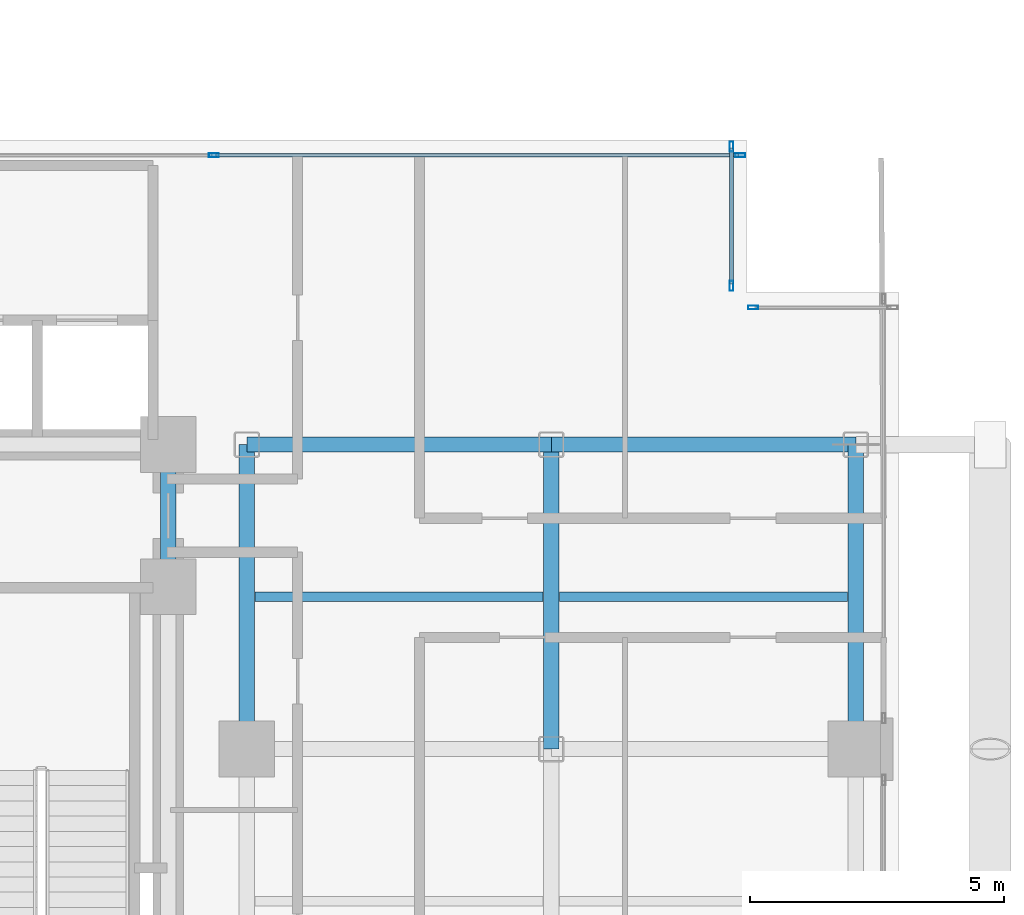
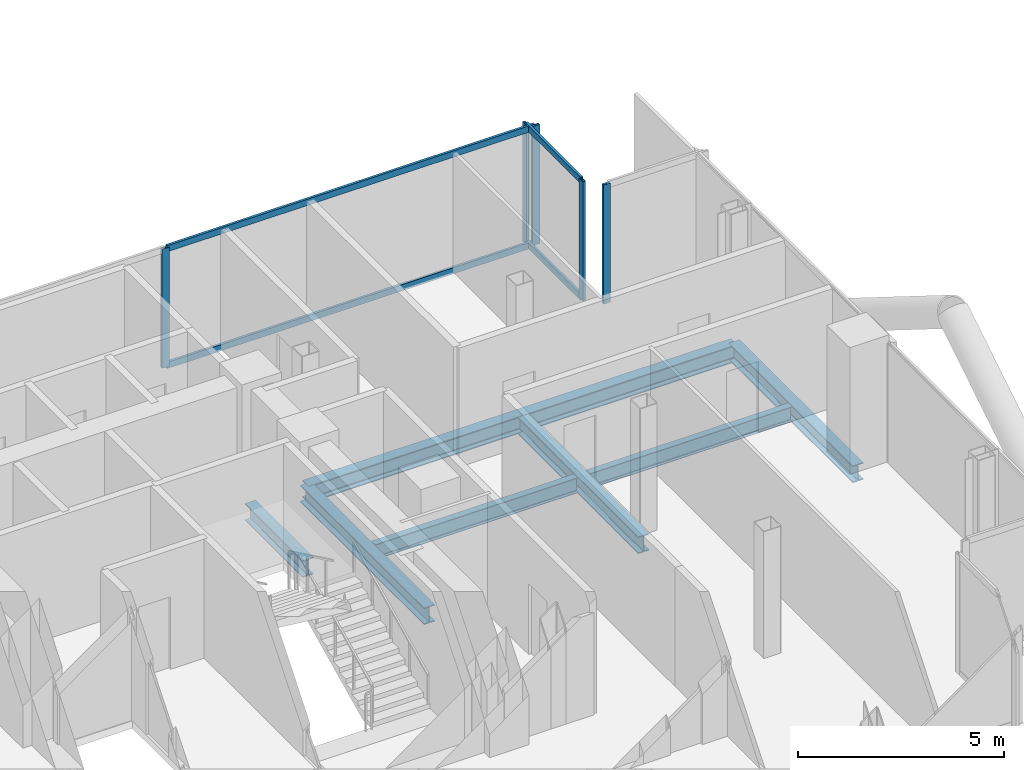
# One storey, part 12 of 24: 9 members, 8 beams, 3 elements without a shape of their own.
"""IFC4 building model written with IfcOpenShell, lengths in metres."""

import ifcopenshell
import ifcopenshell.guid

model = None  # the IFC model being written
_history = None  # IfcOwnerHistory: only IFC2X3 demands one
_inside = {}  # id of a spatial element -> (the spatial element, [elements in it])
_under = {}  # id of a project, library or spatial element -> (it, [spatial elements below it])
_declared = {}  # id of a project -> (the project, [libraries it declares])
_typed = {}  # id of a type object -> (the type object, [elements of that type])
_made_of = {}  # id of a material, layer set ... -> (it, [elements and type objects made of it])


def new_model(schema):
    """Start an empty IFC model of exactly this schema.

    Asked for "IFC4X3", IfcOpenShell would pick the latest addendum, in which some entities
    have other attributes; the version numbers below select the first issue.
    IFC2X3 requires an IfcOwnerHistory on every rooted entity: one is made here for all.
    """
    global model, _history
    if schema == "IFC4X3":
        model = ifcopenshell.file(schema_version=(4, 3, 0, 0))
    else:
        model = ifcopenshell.file(schema=schema)
    _inside.clear()
    _under.clear()
    _declared.clear()
    _typed.clear()
    _made_of.clear()
    _history = None
    if model.schema == "IFC2X3":
        org = make("IfcOrganization", Name="unknown")
        user = make(
            "IfcPersonAndOrganization",
            ThePerson=make("IfcPerson", FamilyName="unknown"),
            TheOrganization=org,
        )
        app = make(
            "IfcApplication",
            ApplicationDeveloper=org,
            Version="unknown",
            ApplicationFullName="unknown",
            ApplicationIdentifier="unknown",
        )
        _history = make(
            "IfcOwnerHistory",
            OwningUser=user,
            OwningApplication=app,
            ChangeAction="ADDED",
            CreationDate=0,
        )
    return model


def make(cls, **values):
    """One entity of the class cls with the attributes given. An attribute that is None is left unset."""
    return model.create_entity(
        cls, **{name: value for name, value in values.items() if value is not None}
    )


def rooted(cls, **values):
    """An entity with a GlobalId (a new one), such as an element, a storey or a relation."""
    return make(cls, GlobalId=ifcopenshell.guid.new(), OwnerHistory=_history, **values)


def si_unit(unit_type, name, prefix=None):
    """IfcSIUnit, for example si_unit("LENGTHUNIT", "METRE", prefix="MILLI")."""
    return make("IfcSIUnit", UnitType=unit_type, Prefix=prefix, Name=name)


def assignment(units):
    """IfcUnitAssignment: the units of a project."""
    return None if units is None else make("IfcUnitAssignment", Units=units)


def point(xyz):
    """IfcCartesianPoint."""
    return None if xyz is None else make("IfcCartesianPoint", Coordinates=xyz)


def direction(xyz):
    """IfcDirection."""
    return None if xyz is None else make("IfcDirection", DirectionRatios=xyz)


def frame(location, z_axis=None, x_axis=None):
    """IfcAxis2Placement3D, a coordinate frame: its origin and axes. An axis left out is left unset."""
    return make(
        "IfcAxis2Placement3D",
        Location=point(location),
        Axis=direction(z_axis),
        RefDirection=direction(x_axis),
    )


def frame_2d(location, x_axis=None):
    """IfcAxis2Placement2D, a coordinate frame in the plane: its origin and x axis."""
    return make(
        "IfcAxis2Placement2D", Location=point(location), RefDirection=direction(x_axis)
    )


def origin():
    """The frame at (0, 0, 0) with its axes left unset."""
    return frame((0.0, 0.0, 0.0))


def origin_2d():
    """The frame at (0, 0) in the plane with its x axis left unset."""
    return frame_2d((0.0, 0.0))


def place(relative_to, where):
    """IfcLocalPlacement: puts the frame where relative to a parent placement (None: the world)."""
    return make(
        "IfcLocalPlacement", PlacementRelTo=relative_to, RelativePlacement=where
    )


def context(
    kind, dimensions, precision=None, world=None, true_north=None, identifier=None
):
    """IfcGeometricRepresentationContext, for example the 3D "Model" context."""
    return make(
        "IfcGeometricRepresentationContext",
        ContextIdentifier=identifier,
        ContextType=kind,
        CoordinateSpaceDimension=dimensions,
        Precision=precision,
        WorldCoordinateSystem=world,
        TrueNorth=true_north,
    )


def subcontext(parent, identifier, kind, view, scale=None):
    """IfcGeometricRepresentationSubContext, for example "Body" below "Model"."""
    return make(
        "IfcGeometricRepresentationSubContext",
        ContextIdentifier=identifier,
        ContextType=kind,
        ParentContext=parent,
        TargetScale=scale,
        TargetView=view,
    )


def project(units=None, contexts=None):
    """IfcProject with its units and contexts."""
    return rooted(
        "IfcProject",
        Name="project",
        RepresentationContexts=contexts,
        UnitsInContext=assignment(units),
    )


def spatial(cls, under=None, at=None, **own):
    """A site, building, storey or space (cls), placed at a placement, below another one or the project."""
    s = rooted(cls, ObjectPlacement=at, **own)
    if under is not None:
        _under.setdefault(under.id(), (under, []))[1].append(s)
    return s


def profile(cls, at=None, kind="AREA", **sizes):
    """A parametric profile (cls). Its sizes go by their IFC names, for example OverallWidth=200.0."""
    return make(cls, ProfileType=kind, Position=at, **sizes)


def hollow_rectangle(**sizes):
    """IfcRectangleHollowProfileDef."""
    return profile("IfcRectangleHollowProfileDef", **sizes)


def i_section(**sizes):
    """IfcIShapeProfileDef."""
    return profile("IfcIShapeProfileDef", **sizes)


def extrude(swept, where, along, depth):
    """IfcExtrudedAreaSolid: the profile swept, set in the frame where, extruded along a direction by depth."""
    return make(
        "IfcExtrudedAreaSolid",
        SweptArea=swept,
        Position=where,
        ExtrudedDirection=direction(along),
        Depth=depth,
    )


def shape(context_of_items, identifier, shape_type, items):
    """IfcShapeRepresentation: the items that make up one representation, for example the "Body"."""
    return make(
        "IfcShapeRepresentation",
        ContextOfItems=context_of_items,
        RepresentationIdentifier=identifier,
        RepresentationType=shape_type,
        Items=items,
    )


def material(Name=None, Category=None):
    """IfcMaterial."""
    return make("IfcMaterial", Name=Name, Category=Category)


def layer(
    of_material, thickness, ventilated=None, Name=None, Category=None, Priority=None
):
    """IfcMaterialLayer: one layer of a wall or slab, of a material (None: an air gap)."""
    return make(
        "IfcMaterialLayer",
        Material=of_material,
        LayerThickness=thickness,
        IsVentilated=ventilated,
        Name=Name,
        Category=Category,
        Priority=Priority,
    )


def layer_set(layers, Name=None):
    """IfcMaterialLayerSet."""
    return make("IfcMaterialLayerSet", MaterialLayers=layers, LayerSetName=Name)


def material_profile(
    of_material, cross_section, Name=None, Category=None, Priority=None
):
    """IfcMaterialProfile: a cross section and its material."""
    return make(
        "IfcMaterialProfile",
        Name=Name,
        Material=of_material,
        Profile=cross_section,
        Priority=Priority,
        Category=Category,
    )


def profile_set(profiles, Name=None, composite=None):
    """IfcMaterialProfileSet."""
    return make(
        "IfcMaterialProfileSet",
        Name=Name,
        MaterialProfiles=profiles,
        CompositeProfile=composite,
    )


def made_of(thing, what):
    """Note that an element or type object is made of a material, layer set ...; save() writes the relation."""
    if what is not None:
        _made_of.setdefault(what.id(), (what, []))[1].append(thing)
    return thing


def type_object(cls, material=None, **own):
    """A type object (cls), such as IfcWallType, which elements share."""
    return made_of(rooted(cls, **own), material)


def element(
    cls,
    number,
    at=None,
    inside=None,
    cuts=None,
    type_object=None,
    material=None,
    context=None,
    identifier="Body",
    shape_type=None,
    held_by="IfcProductDefinitionShape",
    body=None,
    shapes=None,
    **own,
):
    """One element of the class cls, such as IfcWall. Its Tag is "e" and its number.

    at: its placement. inside: the storey or other place that contains it. cuts: it is an
    opening in that element (IfcRelVoidsElement). A single representation is given by context,
    identifier, shape_type and body (its items); several are given by shapes. held_by: the class
    of the entity that holds the representations. save() writes the other relations.
    """
    e = rooted(cls, Tag="e%d" % number, ObjectPlacement=at, **own)
    if body is not None:
        shapes = [shape(context, identifier, shape_type, body)]
    if shapes is not None:
        e.Representation = make(held_by, Representations=shapes)
    if inside is not None:
        _inside.setdefault(inside.id(), (inside, []))[1].append(e)
    if cuts is not None:
        rooted(
            "IfcRelVoidsElement", RelatingBuildingElement=cuts, RelatedOpeningElement=e
        )
    if type_object is not None:
        _typed.setdefault(type_object.id(), (type_object, []))[1].append(e)
    return made_of(e, material)


def aggregate(whole, parts):
    """IfcRelAggregates: a whole, such as a stair, and the parts it consists of."""
    return rooted("IfcRelAggregates", RelatingObject=whole, RelatedObjects=parts)


def save(model, path):
    """Write the relations noted so far, then the file.

    IfcRelAggregates (storeys below a building ...), IfcRelContainedInSpatialStructure (elements
    in a storey), IfcRelDefinesByType, IfcRelAssociatesMaterial and IfcRelDeclares: one each for
    every whole, place, type object, material and project.
    """
    for whole, parts in _under.values():
        aggregate(whole, parts)
    for where, things in _inside.values():
        rooted(
            "IfcRelContainedInSpatialStructure",
            RelatedElements=things,
            RelatingStructure=where,
        )
    for kind, things in _typed.values():
        rooted("IfcRelDefinesByType", RelatedObjects=things, RelatingType=kind)
    for what, things in _made_of.values():
        rooted("IfcRelAssociatesMaterial", RelatedObjects=things, RelatingMaterial=what)
    for by, libraries in _declared.values():
        rooted("IfcRelDeclares", RelatingContext=by, RelatedDefinitions=libraries)
    model.write(path)


model = new_model("IFC4")

# Units and contexts
model_context = context("Model", 3, precision=1e-05, world=origin(), true_north=direction((0.0, 1.0)))
body_context = subcontext(model_context, "Body", "Model", "MODEL_VIEW")
ifc_project = project(units=[si_unit("LENGTHUNIT", "METRE"), si_unit("AREAUNIT", "SQUARE_METRE"), si_unit("VOLUMEUNIT", "CUBIC_METRE"), si_unit("PLANEANGLEUNIT", "RADIAN"), si_unit("MASSUNIT", "GRAM", prefix="KILO"), si_unit("THERMODYNAMICTEMPERATUREUNIT", "KELVIN"), si_unit("POWERUNIT", "WATT")], contexts=[model_context])

# Site, building, storey
site_placement = place(None, origin())
site = spatial("IfcSite", under=ifc_project, at=site_placement, CompositionType="ELEMENT")
building_placement = place(site_placement, origin())
building = spatial("IfcBuilding", under=site, at=building_placement, Name="Svarakhadi Broadcast Tower", CompositionType="ELEMENT")
storey_placement = place(building_placement, frame((0.0, 0.0, 141.89990234375)))
storey = spatial("IfcBuildingStorey", under=building, at=storey_placement, Name="L34", CompositionType="ELEMENT", Elevation=141.89990234375)

# Beams
ifc_material_1 = material(Name="Steel S355J2 (IS 2062 E350C)", Category="steel")
ifc_material_profile_1 = material_profile(ifc_material_1, i_section(OverallWidth=0.18994140625, OverallDepth=0.449951171875, WebThickness=0.009521484375, FlangeThickness=0.0146484375, FilletRadius=0.02099609375, at=origin_2d()), Name="NPB 450x190x78")
ifc_profile_set_1 = profile_set([ifc_material_profile_1], Name="Steel S355J2 (IS 2062 E350C)")
beam_type_1 = type_object("IfcBeamType", Name="Beam_NPB450", PredefinedType="BEAM", material=ifc_profile_set_1)
for number, where, z_axis, x_axis, name in (
    (1, (35.31005859375, 15.0, -0.449951171875), (1.0, 0.0, 0.0), (0.0, 1.0, 0.0), "L34 Secondary Composite Beam SB021"),
    (2, (41.31005859375, 15.0, -0.449951171875), (1.0, 0.0, 0.0), (0.0, 1.0, 0.0), "L34 Secondary Composite Beam SB023"),
):
    element("IfcBeam", number, at=place(storey_placement, frame(where, z_axis=z_axis, x_axis=x_axis)), inside=storey, type_object=beam_type_1, Name=name, PredefinedType="BEAM", context=body_context, shape_type="SweptSolid", body=[
        extrude(i_section(OverallWidth=0.18994140625, OverallDepth=0.449951171875, WebThickness=0.009521484375, FlangeThickness=0.0146484375, FilletRadius=0.02099609375, at=origin_2d()), origin(), (0.0, 0.0, 1.0), 5.679931640625),
    ])

# Curtain wall, members
ifc_material_2 = material(Name="Anodised Bronze Aluminium AA 6063-T6", Category="aluminium")
ifc_layer = layer(ifc_material_2, 0.199951171875)
ifc_layer_set = layer_set([ifc_layer], Name="Anodised Bronze Aluminium AA 6063-T6")
curtain_wall_type = type_object("IfcCurtainWallType", Name="CW_Sys_03", PredefinedType="NOTDEFINED", material=ifc_layer_set)
curtain_wall_1_placement = place(storey_placement, origin())
curtain_wall_1 = element("IfcCurtainWall", 3, at=curtain_wall_1_placement, inside=storey, type_object=curtain_wall_type, Name="L34 Unitised Facade Curtain Wall 10", PredefinedType="NOTDEFINED")
ifc_material_profile_2 = material_profile(ifc_material_2, hollow_rectangle(XDim=0.074951171875, YDim=0.199951171875, WallThickness=0.005615234375, at=origin_2d()), Name="ALU MULLION 200x75x6")
ifc_profile_set_2 = profile_set([ifc_material_profile_2], Name="Anodised Bronze Aluminium AA 6063-T6")
member_type_1 = type_object("IfcMemberType", Name="CW_Sys_03_Mul", PredefinedType="MULLION", material=ifc_profile_set_2)
member_1_placement = place(storey_placement, frame((34.5, 23.699951171875, 0.0), z_axis=(0.0, 0.0, 1.0), x_axis=(0.0, 1.0, 0.0)))
member_1 = element("IfcMember", 4, at=member_1_placement, type_object=member_type_1, Name="CW-03 mullion 2", PredefinedType="MULLION", context=body_context, shape_type="SweptSolid", body=[
    extrude(hollow_rectangle(XDim=0.074951171875, YDim=0.199951171875, WallThickness=0.005615234375, at=origin_2d()), origin(), (0.0, 0.0, 1.0), 3.525146484375),
])
member_2_placement = place(storey_placement, frame((44.87255859375, 23.699951171875, 0.0), z_axis=(0.0, 0.0, 1.0), x_axis=(0.0, 1.0, 0.0)))
member_2 = element("IfcMember", 5, at=member_2_placement, type_object=member_type_1, Name="CW-03 mullion 3", PredefinedType="MULLION", context=body_context, shape_type="SweptSolid", body=[
    extrude(hollow_rectangle(XDim=0.074951171875, YDim=0.199951171875, WallThickness=0.005615234375, at=origin_2d()), origin(), (0.0, 0.0, 1.0), 3.525146484375),
])

curtain_wall_2_placement = place(storey_placement, origin())
curtain_wall_2 = element("IfcCurtainWall", 6, at=curtain_wall_2_placement, inside=storey, type_object=curtain_wall_type, Name="L34 Unitised Facade Curtain Wall 11", PredefinedType="NOTDEFINED")
member_3_placement = place(storey_placement, frame((44.699951171875, 23.87255859375, 0.0), z_axis=(0.0, 0.0, 1.0), x_axis=(1.0, 0.0, 0.0)))
member_3 = element("IfcMember", 7, at=member_3_placement, type_object=member_type_1, Name="CW-03 mullion 1", PredefinedType="MULLION", context=body_context, shape_type="SweptSolid", body=[
    extrude(hollow_rectangle(XDim=0.074951171875, YDim=0.199951171875, WallThickness=0.005615234375, at=origin_2d()), origin(), (0.0, 0.0, 1.0), 3.525146484375),
])
member_4_placement = place(storey_placement, frame((44.699951171875, 21.12744140625, 0.0), z_axis=(0.0, 0.0, 1.0), x_axis=(1.0, 0.0, 0.0)))
member_4 = element("IfcMember", 8, at=member_4_placement, type_object=member_type_1, Name="CW-03 mullion 2", PredefinedType="MULLION", context=body_context, shape_type="SweptSolid", body=[
    extrude(hollow_rectangle(XDim=0.074951171875, YDim=0.199951171875, WallThickness=0.005615234375, at=origin_2d()), origin(), (0.0, 0.0, 1.0), 3.525146484375),
])

# Curtain wall, member
curtain_wall_3_placement = place(storey_placement, origin())
curtain_wall_3 = element("IfcCurtainWall", 9, at=curtain_wall_3_placement, inside=storey, type_object=curtain_wall_type, Name="L34 Unitised Facade Curtain Wall 12", PredefinedType="NOTDEFINED")
member_5_placement = place(storey_placement, frame((45.12744140625, 20.699951171875, 0.0), z_axis=(0.0, 0.0, 1.0), x_axis=(0.0, 1.0, 0.0)))
member_5 = element("IfcMember", 10, at=member_5_placement, type_object=member_type_1, Name="CW-03 mullion 1", PredefinedType="MULLION", context=body_context, shape_type="SweptSolid", body=[
    extrude(hollow_rectangle(XDim=0.074951171875, YDim=0.199951171875, WallThickness=0.005615234375, at=origin_2d()), origin(), (0.0, 0.0, 1.0), 3.525146484375),
])
aggregate(curtain_wall_3, [member_5])

# Member
ifc_material_profile_3 = material_profile(ifc_material_2, hollow_rectangle(XDim=0.070068359375, YDim=0.18505859375, WallThickness=0.0048828125, at=origin_2d()), Name="ALU TRANSOM 185x70x5")
ifc_profile_set_3 = profile_set([ifc_material_profile_3], Name="Anodised Bronze Aluminium AA 6063-T6")
member_type_2 = type_object("IfcMemberType", Name="CW_Sys_03_Trn", PredefinedType="USERDEFINED", material=ifc_profile_set_3)
member_6_placement = place(storey_placement, frame((34.53759765625, 23.699951171875, 0.03515625), z_axis=(1.0, 0.0, 0.0), x_axis=(0.0, 1.0, 0.0)))
member_6 = element("IfcMember", 11, at=member_6_placement, type_object=member_type_2, Name="CW-03 transom 2.1", ObjectType="TRANSOM", PredefinedType="USERDEFINED", context=body_context, shape_type="SweptSolid", body=[
    extrude(hollow_rectangle(XDim=0.070068359375, YDim=0.18505859375, WallThickness=0.0048828125, at=origin_2d()), origin(), (0.0, 0.0, 1.0), 10.29736328125),
])

member_7_placement = place(storey_placement, frame((34.53759765625, 23.699951171875, 3.489990234375), z_axis=(1.0, 0.0, 0.0), x_axis=(0.0, 1.0, 0.0)))
member_7 = element("IfcMember", 12, at=member_7_placement, type_object=member_type_2, Name="CW-03 transom 2.2", ObjectType="TRANSOM", PredefinedType="USERDEFINED", context=body_context, shape_type="SweptSolid", body=[
    extrude(hollow_rectangle(XDim=0.070068359375, YDim=0.18505859375, WallThickness=0.0048828125, at=origin_2d()), origin(), (0.0, 0.0, 1.0), 10.29736328125),
])

aggregate(curtain_wall_1, [member_1, member_2, member_6, member_7])

member_8_placement = place(storey_placement, frame((44.699951171875, 23.8349609375, 0.03515625), z_axis=(0.0, -1.0, 0.0), x_axis=(1.0, 0.0, 0.0)))
member_8 = element("IfcMember", 13, at=member_8_placement, type_object=member_type_2, Name="CW-03 transom 1.1", ObjectType="TRANSOM", PredefinedType="USERDEFINED", context=body_context, shape_type="SweptSolid", body=[
    extrude(hollow_rectangle(XDim=0.070068359375, YDim=0.18505859375, WallThickness=0.0048828125, at=origin_2d()), origin(), (0.0, 0.0, 1.0), 2.669921875),
])

member_9_placement = place(storey_placement, frame((44.699951171875, 23.8349609375, 3.489990234375), z_axis=(0.0, -1.0, 0.0), x_axis=(1.0, 0.0, 0.0)))
member_9 = element("IfcMember", 14, at=member_9_placement, type_object=member_type_2, Name="CW-03 transom 1.2", ObjectType="TRANSOM", PredefinedType="USERDEFINED", context=body_context, shape_type="SweptSolid", body=[
    extrude(hollow_rectangle(XDim=0.070068359375, YDim=0.18505859375, WallThickness=0.0048828125, at=origin_2d()), origin(), (0.0, 0.0, 1.0), 2.669921875),
])

aggregate(curtain_wall_2, [member_3, member_4, member_8, member_9])

# Beams
ifc_material_profile_4 = material_profile(ifc_material_1, i_section(OverallWidth=0.300048828125, OverallDepth=0.5, WebThickness=0.014404296875, FlangeThickness=0.028076171875, FilletRadius=0.027099609375, at=origin_2d()), Name="WPB 500x300x187")
ifc_profile_set_4 = profile_set([ifc_material_profile_4], Name="Steel S355J2 (IS 2062 E350C)")
beam_type_2 = type_object("IfcBeamType", Name="Girder_WPB500", PredefinedType="USERDEFINED", material=ifc_profile_set_4)
for number, where, z_axis, x_axis, name in (
    (15, (35.14990234375, 18.0, -0.474853515625), (1.0, 0.0, 0.0), (0.0, 1.0, 0.0), "L34 Primary E-W Girder G028"),
    (16, (41.14990234375, 18.0, -0.474853515625), (1.0, 0.0, 0.0), (0.0, 1.0, 0.0), "L34 Primary E-W Girder G029"),
):
    element("IfcBeam", number, at=place(storey_placement, frame(where, z_axis=z_axis, x_axis=x_axis)), inside=storey, type_object=beam_type_2, Name=name, ObjectType="GIRDER", PredefinedType="USERDEFINED", context=body_context, shape_type="SweptSolid", body=[
        extrude(i_section(OverallWidth=0.300048828125, OverallDepth=0.5, WebThickness=0.014404296875, FlangeThickness=0.028076171875, FilletRadius=0.027099609375, at=origin_2d()), origin(), (0.0, 0.0, 1.0), 6.0),
    ])
beam_placement = place(storey_placement, frame((33.60009765625, 15.199951171875, -0.474853515625), z_axis=(0.0, 1.0, 0.0), x_axis=(-1.0, 0.0, 0.0)))
element("IfcBeam", 17, at=beam_placement, inside=storey, type_object=beam_type_2, Name="L34 Primary N-S Girder G066", ObjectType="GIRDER", PredefinedType="USERDEFINED", context=body_context, shape_type="SweptSolid", body=[
    extrude(i_section(OverallWidth=0.300048828125, OverallDepth=0.5, WebThickness=0.014404296875, FlangeThickness=0.028076171875, FilletRadius=0.027099609375, at=origin_2d()), origin(), (0.0, 0.0, 1.0), 2.800048828125),
])
for number, where, z_axis, x_axis, name in (
    (18, (35.14990234375, 12.0, -0.474853515625), (0.0, 1.0, 0.0), (-1.0, 0.0, 0.0), "L34 Primary N-S Girder G069"),
    (19, (41.14990234375, 12.0, -0.474853515625), (0.0, 1.0, 0.0), (-1.0, 0.0, 0.0), "L34 Primary N-S Girder G072"),
    (20, (47.14990234375, 12.0, -0.474853515625), (0.0, 1.0, 0.0), (-1.0, 0.0, 0.0), "L34 Primary N-S Girder G074"),
):
    element("IfcBeam", number, at=place(storey_placement, frame(where, z_axis=z_axis, x_axis=x_axis)), inside=storey, type_object=beam_type_2, Name=name, ObjectType="GIRDER", PredefinedType="USERDEFINED", context=body_context, shape_type="SweptSolid", body=[
        extrude(i_section(OverallWidth=0.300048828125, OverallDepth=0.5, WebThickness=0.014404296875, FlangeThickness=0.028076171875, FilletRadius=0.027099609375, at=origin_2d()), origin(), (0.0, 0.0, 1.0), 6.0),
    ])

save(model, "model.ifc")
